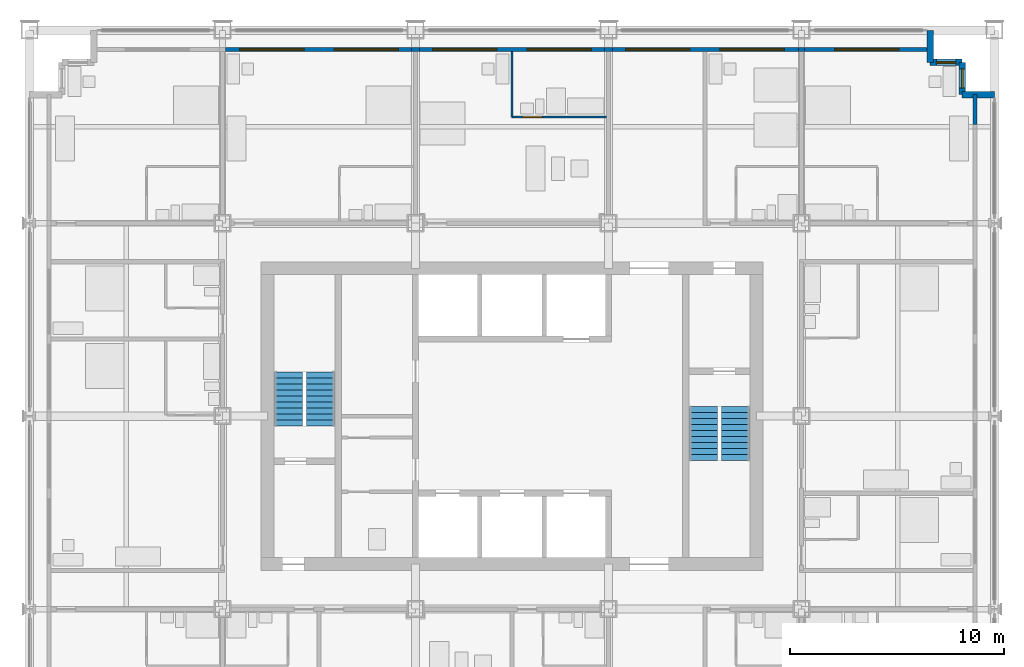
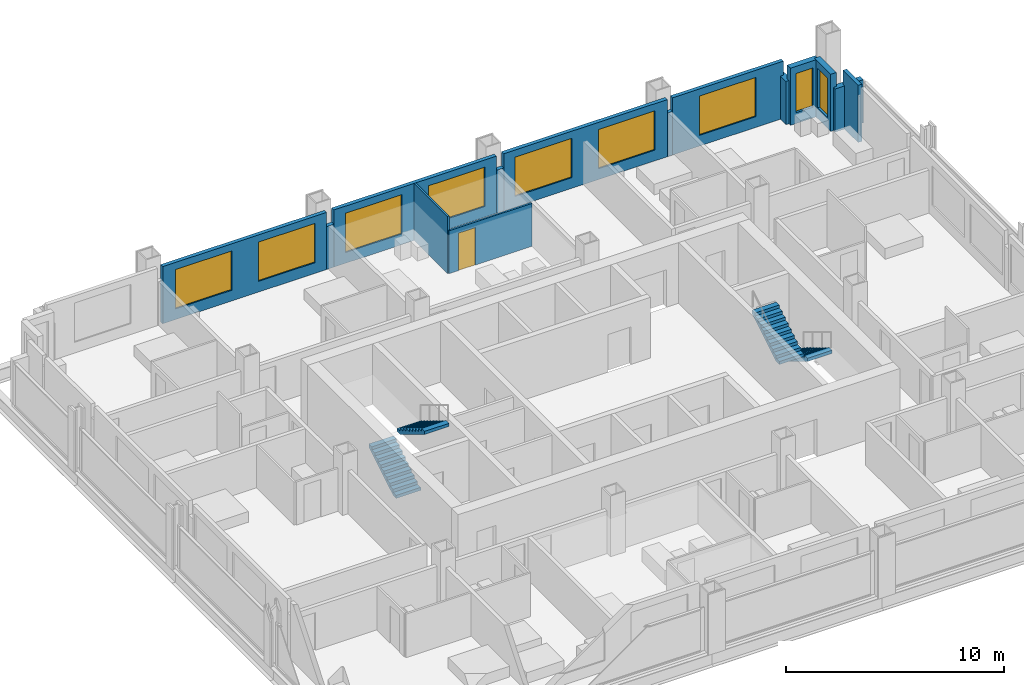
# One storey, part 13 of 16: 14 walls, 9 windows, 4 stair flights, 1 door, 10 openings, 2 elements without a shape of their own.
"""IFC4 building model written with IfcOpenShell, lengths in metres."""

from ifc_helpers import new_model, si_unit, direction, frame, frame_2d, origin, place, context, subcontext, project, spatial, polyline, rectangle, outline, extrude, material, layer, layer_set, type_object, element, fill, aggregate, save


model = new_model("IFC4")

# Units and contexts
model_context = context("Model", 3, precision=1e-05, world=origin(), true_north=direction((0.0, 1.0)))
body_context = subcontext(model_context, "Body", "Model", "MODEL_VIEW")
ifc_project = project(units=[si_unit("LENGTHUNIT", "METRE"), si_unit("AREAUNIT", "SQUARE_METRE"), si_unit("VOLUMEUNIT", "CUBIC_METRE"), si_unit("PLANEANGLEUNIT", "RADIAN"), si_unit("MASSUNIT", "GRAM", prefix="KILO")], contexts=[model_context])

# Site, building, storey
site_placement = place(None, origin())
site = spatial("IfcSite", under=ifc_project, at=site_placement, CompositionType="ELEMENT")
building_placement = place(site_placement, origin())
building = spatial("IfcBuilding", under=site, at=building_placement, Name="Loomwork Tower", CompositionType="ELEMENT")
storey_placement = place(building_placement, frame((0.0, 0.0, 124.800048828125)))
storey = spatial("IfcBuildingStorey", under=building, at=storey_placement, Name="L33", CompositionType="ELEMENT", Elevation=124.800048828125)

# Wall, opening, door
ifc_material_1 = material(Name="Cement board on steel studs", Category="steel")
ifc_layer_1 = layer(ifc_material_1, 0.10009765625)
ifc_layer_set_1 = layer_set([ifc_layer_1], Name="En-suite partition 100")
wall_type_1 = type_object("IfcWallType", Name="En-suite partition 100", PredefinedType="PARTITIONING", material=ifc_layer_set_1)
wall_1_placement = place(storey_placement, frame((22.5, 31.949951171875, 0.0), z_axis=(0.0, 0.0, 1.0), x_axis=(1.0, 0.0, 0.0)))
wall_1 = element("IfcWall", 1, at=wall_1_placement, inside=storey, type_object=wall_type_1, Name="Spa bathroom wall L33 room 9", PredefinedType="PARTITIONING", context=body_context, shape_type="SweptSolid", body=[
    extrude(rectangle(XDim=4.39990234375, YDim=0.10009765625, at=frame_2d((2.199951171875, 0.0))), origin(), (0.0, 0.0, 1.0), 2.404052734375),
])
opening_1_placement = place(wall_1_placement, frame((0.5, 0.0, 0.0)))
opening_1 = element("IfcOpeningElement", 2, at=opening_1_placement, cuts=wall_1, Name="Opening D2", PredefinedType="OPENING", context=body_context, shape_type="SweptSolid", body=[
    extrude(rectangle(XDim=0.89990234375, YDim=2.10009765625, at=frame_2d((0.449951171875, 1.050048828125))), frame((0.0, 0.06005859375, 0.0), z_axis=(0.0, -1.0, 0.0), x_axis=(1.0, 0.0, 0.0)), (0.0, 0.0, 1.0), 0.1201171875),
])
ifc_material_2 = material(Name="Hollow metal door and frame")
door_type = type_object("IfcDoorType", Name="En-suite door 900", OperationType="SINGLE_SWING_LEFT", PredefinedType="DOOR", material=ifc_material_2)
door_placement = place(opening_1_placement, origin())
door = element("IfcDoor", 3, at=door_placement, inside=storey, type_object=door_type, Name="Spa bathroom door room 9", OperationType="SINGLE_SWING_LEFT", OverallHeight=2.10009765625, OverallWidth=0.89990234375, PredefinedType="DOOR", context=body_context, shape_type="SweptSolid", body=[
    extrude(rectangle(XDim=0.89990234375, YDim=2.10009765625, at=frame_2d((0.449951171875, 1.050048828125))), frame((0.0, 0.02490234375, 0.0), z_axis=(0.0, -1.0, 0.0), x_axis=(1.0, 0.0, 0.0)), (0.0, 0.0, 1.0), 0.050048828125),
])
fill(opening_1, door)

# Wall
wall_2_placement = place(storey_placement, frame((22.5, 31.949951171875, 0.0), z_axis=(0.0, 0.0, 1.0), x_axis=(0.0, 1.0, 0.0)))
element("IfcWall", 4, at=wall_2_placement, inside=storey, type_object=wall_type_1, Name="Spa bathroom side wall L33 room 9", PredefinedType="PARTITIONING", context=body_context, shape_type="SweptSolid", body=[
    extrude(rectangle(XDim=3.050048828125, YDim=0.10009765625, at=frame_2d((1.52490234375, 0.0))), origin(), (0.0, 0.0, 1.0), 3.199951171875),
])

# Wall, openings, windows
ifc_material_3 = material(Name="Insulated steel stud wall with gypsum lining", Category="steel")
ifc_layer_2 = layer(ifc_material_3, 0.199951171875)
ifc_layer_set_2 = layer_set([ifc_layer_2], Name="Inner skin wall 200")
wall_type_2 = type_object("IfcWallType", Name="Inner skin wall 200", PredefinedType="SOLIDWALL", material=ifc_layer_set_2)
wall_3_placement = place(storey_placement, frame((9.13525390625, 35.10009765625, 0.0), z_axis=(0.0, 0.0, 1.0), x_axis=(1.0, 0.0, 0.0)))
wall_3 = element("IfcWall", 5, at=wall_3_placement, inside=storey, type_object=wall_type_2, Name="Inner skin wall N bay 3", PredefinedType="SOLIDWALL", context=body_context, shape_type="SweptSolid", body=[
    extrude(rectangle(XDim=8.6708984375, YDim=0.199951171875, at=frame_2d((4.33544921875, 0.0))), origin(), (0.0, 0.0, 1.0), 3.199951171875),
])
opening_2_placement = place(wall_3_placement, frame((0.664794921875, 0.0, 0.60009765625)))
opening_2 = element("IfcOpeningElement", 6, at=opening_2_placement, cuts=wall_3, Name="Opening CH1", PredefinedType="OPENING", context=body_context, shape_type="SweptSolid", body=[
    extrude(rectangle(XDim=3.0, YDim=2.199951171875, at=frame_2d((1.5, 1.10009765625))), frame((0.0, 0.10986328125, 0.0), z_axis=(0.0, -1.0, 0.0), x_axis=(1.0, 0.0, 0.0)), (0.0, 0.0, 1.0), 0.219970703125),
])
opening_3_placement = place(wall_3_placement, frame((5.064697265625, 0.0, 0.60009765625)))
opening_3 = element("IfcOpeningElement", 7, at=opening_3_placement, cuts=wall_3, Name="Opening CH1", PredefinedType="OPENING", context=body_context, shape_type="SweptSolid", body=[
    extrude(rectangle(XDim=3.0, YDim=2.199951171875, at=frame_2d((1.5, 1.10009765625))), frame((0.0, 0.10986328125, 0.0), z_axis=(0.0, -1.0, 0.0), x_axis=(1.0, 0.0, 0.0)), (0.0, 0.0, 1.0), 0.219970703125),
])
ifc_material_4 = material(Name="Aluminium frame with clear insulated glass", Category="aluminium")
window_type_1 = type_object("IfcWindowType", Name="Chicago window 3000", PartitioningType="TRIPLE_PANEL_VERTICAL", PredefinedType="WINDOW", material=ifc_material_4)
window_1_placement = place(opening_2_placement, origin())
window_1 = element("IfcWindow", 8, at=window_1_placement, inside=storey, type_object=window_type_1, Name="Chicago window L33 bay 7", OverallHeight=2.199951171875, OverallWidth=3.0, PartitioningType="TRIPLE_PANEL_VERTICAL", PredefinedType="WINDOW", context=body_context, shape_type="SweptSolid", body=[
    extrude(rectangle(XDim=3.0, YDim=2.199951171875, at=frame_2d((1.5, 1.10009765625))), frame((0.0, 0.030029296875, 0.0), z_axis=(0.0, -1.0, 0.0), x_axis=(1.0, 0.0, 0.0)), (0.0, 0.0, 1.0), 0.06005859375),
])
fill(opening_2, window_1)
window_2_placement = place(opening_3_placement, origin())
window_2 = element("IfcWindow", 9, at=window_2_placement, inside=storey, type_object=window_type_1, Name="Chicago window L33 bay 7", OverallHeight=2.199951171875, OverallWidth=3.0, PartitioningType="TRIPLE_PANEL_VERTICAL", PredefinedType="WINDOW", context=body_context, shape_type="SweptSolid", body=[
    extrude(rectangle(XDim=3.0, YDim=2.199951171875, at=frame_2d((1.5, 1.10009765625))), frame((0.0, 0.030029296875, 0.0), z_axis=(0.0, -1.0, 0.0), x_axis=(1.0, 0.0, 0.0)), (0.0, 0.0, 1.0), 0.06005859375),
])
fill(opening_3, window_2)

# Wall
wall_4_placement = place(storey_placement, frame((17.80615234375, 35.10009765625, 0.0), z_axis=(0.0, 0.0, 1.0), x_axis=(1.0, 0.0, 0.0)))
element("IfcWall", 10, at=wall_4_placement, inside=storey, type_object=wall_type_2, Name="Inner skin wall N bay 4", PredefinedType="SOLIDWALL", context=body_context, shape_type="SweptSolid", body=[
    extrude(rectangle(XDim=0.3876953125, YDim=0.199951171875, at=frame_2d((0.19384765625, 0.0))), origin(), (0.0, 0.0, 1.0), 2.404052734375),
])

# Wall, openings, windows
wall_5_placement = place(storey_placement, frame((18.19384765625, 35.10009765625, 0.0), z_axis=(0.0, 0.0, 1.0), x_axis=(1.0, 0.0, 0.0)))
wall_5 = element("IfcWall", 11, at=wall_5_placement, inside=storey, type_object=wall_type_2, Name="Inner skin wall N bay 5", PredefinedType="SOLIDWALL", context=body_context, shape_type="SweptSolid", body=[
    extrude(rectangle(XDim=8.6123046875, YDim=0.199951171875, at=frame_2d((4.30615234375, 0.0))), origin(), (0.0, 0.0, 1.0), 3.199951171875),
])
opening_4_placement = place(wall_5_placement, frame((0.606201171875, 0.0, 0.60009765625)))
opening_4 = element("IfcOpeningElement", 12, at=opening_4_placement, cuts=wall_5, Name="Opening CH1", PredefinedType="OPENING", context=body_context, shape_type="SweptSolid", body=[
    extrude(rectangle(XDim=3.0, YDim=2.199951171875, at=frame_2d((1.5, 1.10009765625))), frame((0.0, 0.10986328125, 0.0), z_axis=(0.0, -1.0, 0.0), x_axis=(1.0, 0.0, 0.0)), (0.0, 0.0, 1.0), 0.219970703125),
])
opening_5_placement = place(wall_5_placement, frame((5.006103515625, 0.0, 0.60009765625)))
opening_5 = element("IfcOpeningElement", 13, at=opening_5_placement, cuts=wall_5, Name="Opening CH1", PredefinedType="OPENING", context=body_context, shape_type="SweptSolid", body=[
    extrude(rectangle(XDim=3.0, YDim=2.199951171875, at=frame_2d((1.5, 1.10009765625))), frame((0.0, 0.10986328125, 0.0), z_axis=(0.0, -1.0, 0.0), x_axis=(1.0, 0.0, 0.0)), (0.0, 0.0, 1.0), 0.219970703125),
])
window_3_placement = place(opening_4_placement, origin())
window_3 = element("IfcWindow", 14, at=window_3_placement, inside=storey, type_object=window_type_1, Name="Chicago window L33 bay 8", OverallHeight=2.199951171875, OverallWidth=3.0, PartitioningType="TRIPLE_PANEL_VERTICAL", PredefinedType="WINDOW", context=body_context, shape_type="SweptSolid", body=[
    extrude(rectangle(XDim=3.0, YDim=2.199951171875, at=frame_2d((1.5, 1.10009765625))), frame((0.0, 0.030029296875, 0.0), z_axis=(0.0, -1.0, 0.0), x_axis=(1.0, 0.0, 0.0)), (0.0, 0.0, 1.0), 0.06005859375),
])
fill(opening_4, window_3)
window_4_placement = place(opening_5_placement, origin())
window_4 = element("IfcWindow", 15, at=window_4_placement, inside=storey, type_object=window_type_1, Name="Chicago window L33 bay 8", OverallHeight=2.199951171875, OverallWidth=3.0, PartitioningType="TRIPLE_PANEL_VERTICAL", PredefinedType="WINDOW", context=body_context, shape_type="SweptSolid", body=[
    extrude(rectangle(XDim=3.0, YDim=2.199951171875, at=frame_2d((1.5, 1.10009765625))), frame((0.0, 0.030029296875, 0.0), z_axis=(0.0, -1.0, 0.0), x_axis=(1.0, 0.0, 0.0)), (0.0, 0.0, 1.0), 0.06005859375),
])
fill(opening_5, window_4)

# Wall
wall_6_placement = place(storey_placement, frame((26.80615234375, 35.10009765625, 0.0), z_axis=(0.0, 0.0, 1.0), x_axis=(1.0, 0.0, 0.0)))
element("IfcWall", 16, at=wall_6_placement, inside=storey, type_object=wall_type_2, Name="Inner skin wall N bay 6", PredefinedType="SOLIDWALL", context=body_context, shape_type="SweptSolid", body=[
    extrude(rectangle(XDim=0.3876953125, YDim=0.199951171875, at=frame_2d((0.19384765625, 0.0))), origin(), (0.0, 0.0, 1.0), 2.404052734375),
])

# Wall, openings, windows
wall_7_placement = place(storey_placement, frame((27.19384765625, 35.10009765625, 0.0), z_axis=(0.0, 0.0, 1.0), x_axis=(1.0, 0.0, 0.0)))
wall_7 = element("IfcWall", 17, at=wall_7_placement, inside=storey, type_object=wall_type_2, Name="Inner skin wall N bay 7", PredefinedType="SOLIDWALL", context=body_context, shape_type="SweptSolid", body=[
    extrude(rectangle(XDim=8.670654296875, YDim=0.199951171875, at=frame_2d((4.33544921875, 0.0))), origin(), (0.0, 0.0, 1.0), 3.199951171875),
])
opening_6_placement = place(wall_7_placement, frame((0.606201171875, 0.0, 0.60009765625)))
opening_6 = element("IfcOpeningElement", 18, at=opening_6_placement, cuts=wall_7, Name="Opening CH1", PredefinedType="OPENING", context=body_context, shape_type="SweptSolid", body=[
    extrude(rectangle(XDim=3.0, YDim=2.199951171875, at=frame_2d((1.5, 1.10009765625))), frame((0.0, 0.10986328125, 0.0), z_axis=(0.0, -1.0, 0.0), x_axis=(1.0, 0.0, 0.0)), (0.0, 0.0, 1.0), 0.219970703125),
])
opening_7_placement = place(wall_7_placement, frame((5.006103515625, 0.0, 0.60009765625)))
opening_7 = element("IfcOpeningElement", 19, at=opening_7_placement, cuts=wall_7, Name="Opening CH1", PredefinedType="OPENING", context=body_context, shape_type="SweptSolid", body=[
    extrude(rectangle(XDim=3.0, YDim=2.199951171875, at=frame_2d((1.5, 1.10009765625))), frame((0.0, 0.10986328125, 0.0), z_axis=(0.0, -1.0, 0.0), x_axis=(1.0, 0.0, 0.0)), (0.0, 0.0, 1.0), 0.219970703125),
])
window_5_placement = place(opening_6_placement, origin())
window_5 = element("IfcWindow", 20, at=window_5_placement, inside=storey, type_object=window_type_1, Name="Chicago window L33 bay 9", OverallHeight=2.199951171875, OverallWidth=3.0, PartitioningType="TRIPLE_PANEL_VERTICAL", PredefinedType="WINDOW", context=body_context, shape_type="SweptSolid", body=[
    extrude(rectangle(XDim=3.0, YDim=2.199951171875, at=frame_2d((1.5, 1.10009765625))), frame((0.0, 0.030029296875, 0.0), z_axis=(0.0, -1.0, 0.0), x_axis=(1.0, 0.0, 0.0)), (0.0, 0.0, 1.0), 0.06005859375),
])
fill(opening_6, window_5)
window_6_placement = place(opening_7_placement, origin())
window_6 = element("IfcWindow", 21, at=window_6_placement, inside=storey, type_object=window_type_1, Name="Chicago window L33 bay 9", OverallHeight=2.199951171875, OverallWidth=3.0, PartitioningType="TRIPLE_PANEL_VERTICAL", PredefinedType="WINDOW", context=body_context, shape_type="SweptSolid", body=[
    extrude(rectangle(XDim=3.0, YDim=2.199951171875, at=frame_2d((1.5, 1.10009765625))), frame((0.0, 0.030029296875, 0.0), z_axis=(0.0, -1.0, 0.0), x_axis=(1.0, 0.0, 0.0)), (0.0, 0.0, 1.0), 0.06005859375),
])
fill(opening_7, window_6)

# Wall
wall_8_placement = place(storey_placement, frame((35.864501953125, 35.10009765625, 0.0), z_axis=(0.0, 0.0, 1.0), x_axis=(1.0, 0.0, 0.0)))
element("IfcWall", 22, at=wall_8_placement, inside=storey, type_object=wall_type_2, Name="Inner skin wall N bay 8", PredefinedType="SOLIDWALL", context=body_context, shape_type="SweptSolid", body=[
    extrude(rectangle(XDim=0.27099609375, YDim=0.199951171875, at=frame_2d((0.135498046875, 0.0))), origin(), (0.0, 0.0, 1.0), 2.43798828125),
])

# Wall, opening, window
wall_9_placement = place(storey_placement, frame((36.135498046875, 35.10009765625, 0.0), z_axis=(0.0, 0.0, 1.0), x_axis=(1.0, 0.0, 0.0)))
wall_9 = element("IfcWall", 23, at=wall_9_placement, inside=storey, type_object=wall_type_2, Name="Inner skin wall N bay 9", PredefinedType="SOLIDWALL", context=body_context, shape_type="SweptSolid", body=[
    extrude(rectangle(XDim=5.864501953125, YDim=0.199951171875, at=frame_2d((2.93212890625, 0.0))), origin(), (0.0, 0.0, 1.0), 3.199951171875),
])
opening_8_placement = place(wall_9_placement, frame((1.41455078125, 0.0, 0.60009765625)))
opening_8 = element("IfcOpeningElement", 24, at=opening_8_placement, cuts=wall_9, Name="Opening CH1", PredefinedType="OPENING", context=body_context, shape_type="SweptSolid", body=[
    extrude(rectangle(XDim=3.0, YDim=2.199951171875, at=frame_2d((1.5, 1.10009765625))), frame((0.0, 0.10986328125, 0.0), z_axis=(0.0, -1.0, 0.0), x_axis=(1.0, 0.0, 0.0)), (0.0, 0.0, 1.0), 0.219970703125),
])
window_7_placement = place(opening_8_placement, origin())
window_7 = element("IfcWindow", 25, at=window_7_placement, inside=storey, type_object=window_type_1, Name="Chicago window L33 bay 10", OverallHeight=2.199951171875, OverallWidth=3.0, PartitioningType="TRIPLE_PANEL_VERTICAL", PredefinedType="WINDOW", context=body_context, shape_type="SweptSolid", body=[
    extrude(rectangle(XDim=3.0, YDim=2.199951171875, at=frame_2d((1.5, 1.10009765625))), frame((0.0, 0.030029296875, 0.0), z_axis=(0.0, -1.0, 0.0), x_axis=(1.0, 0.0, 0.0)), (0.0, 0.0, 1.0), 0.06005859375),
])
fill(opening_8, window_7)

# Walls
wall_10_placement = place(storey_placement, frame((44.10009765625, 31.607421875, 0.0), z_axis=(0.0, 0.0, 1.0), x_axis=(0.0, 1.0, 0.0)))
element("IfcWall", 26, at=wall_10_placement, inside=storey, type_object=wall_type_2, Name="Inner skin wall E bay 11", PredefinedType="SOLIDWALL", context=body_context, shape_type="SweptSolid", body=[
    extrude(rectangle(XDim=1.392578125, YDim=0.199951171875, at=frame_2d((0.6962890625, 0.0))), origin(), (0.0, 0.0, 1.0), 3.199951171875),
])
ifc_material_5 = material(Name="Limestone on concrete masonry", Category="masonry")
ifc_layer_3 = layer(ifc_material_5, 0.300048828125)
ifc_layer_set_3 = layer_set([ifc_layer_3], Name="Limestone corner wall 300")
wall_type_3 = type_object("IfcWallType", Name="Limestone corner wall 300", PredefinedType="SOLIDWALL", material=ifc_layer_set_3)
wall_11_placement = place(storey_placement, frame((45.0, 33.0, 0.0), z_axis=(0.0, 0.0, 1.0), x_axis=(-1.0, 0.0, 0.0)))
element("IfcWall", 27, at=wall_11_placement, inside=storey, type_object=wall_type_3, Name="Stone corner wall NE 1", PredefinedType="SOLIDWALL", context=body_context, shape_type="SweptSolid", body=[
    extrude(rectangle(XDim=1.5, YDim=0.300048828125, at=frame_2d((0.75, 0.0))), origin(), (0.0, 0.0, 1.0), 2.419921875),
])

# Wall, opening, window
wall_12_placement = place(storey_placement, frame((43.5, 33.0, 0.0), z_axis=(0.0, 0.0, 1.0), x_axis=(0.0, 1.0, 0.0)))
wall_12 = element("IfcWall", 28, at=wall_12_placement, inside=storey, type_object=wall_type_3, Name="Stone corner wall NE 2", PredefinedType="SOLIDWALL", context=body_context, shape_type="SweptSolid", body=[
    extrude(rectangle(XDim=1.5, YDim=0.300048828125, at=frame_2d((0.75, 0.0))), origin(), (0.0, 0.0, 1.0), 3.199951171875),
])
opening_9_placement = place(wall_12_placement, frame((0.300048828125, 0.0, 0.60009765625)))
opening_9 = element("IfcOpeningElement", 29, at=opening_9_placement, cuts=wall_12, Name="Opening CH2", PredefinedType="OPENING", context=body_context, shape_type="SweptSolid", body=[
    extrude(rectangle(XDim=0.89990234375, YDim=2.199951171875, at=frame_2d((0.449951171875, 1.10009765625))), frame((0.0, 0.159912109375, 0.0), z_axis=(0.0, -1.0, 0.0), x_axis=(1.0, 0.0, 0.0)), (0.0, 0.0, 1.0), 0.320068359375),
])
ifc_material_6 = material(Name="Aluminium frame with clear insulated glass", Category="aluminium")
window_type_2 = type_object("IfcWindowType", Name="Corner window 900", PartitioningType="SINGLE_PANEL", PredefinedType="WINDOW", material=ifc_material_6)
window_8_placement = place(opening_9_placement, origin())
window_8 = element("IfcWindow", 30, at=window_8_placement, inside=storey, type_object=window_type_2, Name="Corner window NE", OverallHeight=2.199951171875, OverallWidth=0.89990234375, PartitioningType="SINGLE_PANEL", PredefinedType="WINDOW", context=body_context, shape_type="SweptSolid", body=[
    extrude(rectangle(XDim=0.89990234375, YDim=2.199951171875, at=frame_2d((0.449951171875, 1.10009765625))), frame((0.0, 0.030029296875, 0.0), z_axis=(0.0, -1.0, 0.0), x_axis=(1.0, 0.0, 0.0)), (0.0, 0.0, 1.0), 0.06005859375),
])
fill(opening_9, window_8)

wall_13_placement = place(storey_placement, frame((43.5, 34.5, 0.0), z_axis=(0.0, 0.0, 1.0), x_axis=(-1.0, 0.0, 0.0)))
wall_13 = element("IfcWall", 31, at=wall_13_placement, inside=storey, type_object=wall_type_3, Name="Stone corner wall NE 3", PredefinedType="SOLIDWALL", context=body_context, shape_type="SweptSolid", body=[
    extrude(rectangle(XDim=1.5, YDim=0.300048828125, at=frame_2d((0.75, 0.0))), origin(), (0.0, 0.0, 1.0), 3.199951171875),
])
opening_10_placement = place(wall_13_placement, frame((0.300048828125, 0.0, 0.60009765625)))
opening_10 = element("IfcOpeningElement", 32, at=opening_10_placement, cuts=wall_13, Name="Opening CH2", PredefinedType="OPENING", context=body_context, shape_type="SweptSolid", body=[
    extrude(rectangle(XDim=0.89990234375, YDim=2.199951171875, at=frame_2d((0.449951171875, 1.10009765625))), frame((0.0, 0.159912109375, 0.0), z_axis=(0.0, -1.0, 0.0), x_axis=(1.0, 0.0, 0.0)), (0.0, 0.0, 1.0), 0.320068359375),
])
window_9_placement = place(opening_10_placement, origin())
window_9 = element("IfcWindow", 33, at=window_9_placement, inside=storey, type_object=window_type_2, Name="Corner window NE", OverallHeight=2.199951171875, OverallWidth=0.89990234375, PartitioningType="SINGLE_PANEL", PredefinedType="WINDOW", context=body_context, shape_type="SweptSolid", body=[
    extrude(rectangle(XDim=0.89990234375, YDim=2.199951171875, at=frame_2d((0.449951171875, 1.10009765625))), frame((0.0, 0.030029296875, 0.0), z_axis=(0.0, -1.0, 0.0), x_axis=(1.0, 0.0, 0.0)), (0.0, 0.0, 1.0), 0.06005859375),
])
fill(opening_10, window_9)

# Wall
wall_14_placement = place(storey_placement, frame((42.0, 34.5, 0.0), z_axis=(0.0, 0.0, 1.0), x_axis=(0.0, 1.0, 0.0)))
element("IfcWall", 34, at=wall_14_placement, inside=storey, type_object=wall_type_3, Name="Stone corner wall NE 4", PredefinedType="SOLIDWALL", context=body_context, shape_type="SweptSolid", body=[
    extrude(rectangle(XDim=1.5, YDim=0.300048828125, at=frame_2d((0.75, 0.0))), origin(), (0.0, 0.0, 1.0), 2.419921875),
])

# Stair, stair flights
ifc_material_7 = material(Name="Concrete 5000 psi (34 MPa) precast stair", Category="concrete")
stair_type_1 = type_object("IfcStairType", Name="Stair ST-A 20 risers 2850 wide", PredefinedType="HALF_TURN_STAIR", material=ifc_material_7)
stair_1_placement = place(storey_placement, origin())
stair_1 = element("IfcStair", 35, at=stair_1_placement, inside=storey, type_object=stair_type_1, Name="Stair A L33", PredefinedType="HALF_TURN_STAIR")
ifc_material_8 = material(Name="Concrete 5000 psi (34 MPa) precast stair", Category="concrete")
stair_flight_type_1 = type_object("IfcStairFlightType", Name="Stair flight ST-A 10 risers 1300 wide", PredefinedType="STRAIGHT", material=ifc_material_8)
stair_flight_1_placement = place(storey_placement, frame((12.074951171875, 17.550048828125, 0.0), z_axis=(0.0, 0.0, 1.0), x_axis=(0.0, 1.0, 0.0)))
stair_flight_1 = element("IfcStairFlight", 36, at=stair_flight_1_placement, type_object=stair_flight_type_1, Name="ST-A flight 1", NumberOfRisers=10, NumberOfTreads=9, PredefinedType="STRAIGHT", RiserHeight=0.17, TreadLength=0.28, context=body_context, shape_type="SweptSolid", body=[
    extrude(outline(polyline([(0.0, 0.0), (0.0, 0.169921875), (0.280029296875, 0.169921875), (0.280029296875, 0.340087890625), (0.56005859375, 0.340087890625), (0.56005859375, 0.510009765625), (0.840087890625, 0.510009765625), (0.840087890625, 0.679931640625), (1.1201171875, 0.679931640625), (1.1201171875, 0.85009765625), (1.39990234375, 0.85009765625), (1.39990234375, 1.02001953125), (1.679931640625, 1.02001953125), (1.679931640625, 1.18994140625), (1.9599609375, 1.18994140625), (1.9599609375, 1.360107421875), (2.239990234375, 1.360107421875), (2.239990234375, 1.530029296875), (2.52001953125, 1.530029296875), (2.52001953125, 1.699951171875), (2.52001953125, 1.354736328125), (0.288818359375, 0.0), (0.0, 0.0)])), frame((0.0, 0.64990234375, 0.0), z_axis=(0.0, -1.0, 0.0), x_axis=(1.0, 0.0, 0.0)), (0.0, 0.0, 1.0), 1.300048828125),
])
stair_flight_2_placement = place(storey_placement, frame((13.574951171875, 20.070068359375, 1.699951171875), z_axis=(0.0, 0.0, 1.0), x_axis=(0.0, -1.0, 0.0)))
stair_flight_2 = element("IfcStairFlight", 37, at=stair_flight_2_placement, type_object=stair_flight_type_1, Name="ST-A flight 2", NumberOfRisers=10, NumberOfTreads=9, PredefinedType="STRAIGHT", RiserHeight=0.17, TreadLength=0.28, context=body_context, shape_type="SweptSolid", body=[
    extrude(outline(polyline([(0.0, 0.0), (0.0, 0.169921875), (0.280029296875, 0.169921875), (0.280029296875, 0.340087890625), (0.56005859375, 0.340087890625), (0.56005859375, 0.510009765625), (0.840087890625, 0.510009765625), (0.840087890625, 0.679931640625), (1.1201171875, 0.679931640625), (1.1201171875, 0.85009765625), (1.39990234375, 0.85009765625), (1.39990234375, 1.02001953125), (1.679931640625, 1.02001953125), (1.679931640625, 1.18994140625), (1.9599609375, 1.18994140625), (1.9599609375, 1.360107421875), (2.239990234375, 1.360107421875), (2.239990234375, 1.530029296875), (2.52001953125, 1.530029296875), (2.52001953125, 1.699951171875), (2.52001953125, 1.354736328125), (0.288818359375, 0.0), (0.0, 0.0)])), frame((0.0, 0.64990234375, 0.0), z_axis=(0.0, -1.0, 0.0), x_axis=(1.0, 0.0, 0.0)), (0.0, 0.0, 1.0), 1.300048828125),
])
aggregate(stair_1, [stair_flight_1, stair_flight_2])

ifc_material_9 = material(Name="Concrete 5000 psi (34 MPa) precast stair", Category="concrete")
stair_type_2 = type_object("IfcStairType", Name="Stair ST-B 20 risers 2850 wide", PredefinedType="HALF_TURN_STAIR", material=ifc_material_9)
stair_2_placement = place(storey_placement, origin())
stair_2 = element("IfcStair", 38, at=stair_2_placement, inside=storey, type_object=stair_type_2, Name="Stair B L33", PredefinedType="HALF_TURN_STAIR")
ifc_material_10 = material(Name="Concrete 5000 psi (34 MPa) precast stair", Category="concrete")
stair_flight_type_2 = type_object("IfcStairFlightType", Name="Stair flight ST-B 10 risers 1300 wide", PredefinedType="STRAIGHT", material=ifc_material_10)
stair_flight_3_placement = place(storey_placement, frame((32.925048828125, 18.449951171875, 0.0), z_axis=(0.0, 0.0, 1.0), x_axis=(0.0, -1.0, 0.0)))
stair_flight_3 = element("IfcStairFlight", 39, at=stair_flight_3_placement, type_object=stair_flight_type_2, Name="ST-B flight 1", NumberOfRisers=10, NumberOfTreads=9, PredefinedType="STRAIGHT", RiserHeight=0.17, TreadLength=0.28, context=body_context, shape_type="SweptSolid", body=[
    extrude(outline(polyline([(0.0, 0.0), (0.0, 0.169921875), (0.280029296875, 0.169921875), (0.280029296875, 0.340087890625), (0.56005859375, 0.340087890625), (0.56005859375, 0.510009765625), (0.840087890625, 0.510009765625), (0.840087890625, 0.679931640625), (1.1201171875, 0.679931640625), (1.1201171875, 0.85009765625), (1.39990234375, 0.85009765625), (1.39990234375, 1.02001953125), (1.679931640625, 1.02001953125), (1.679931640625, 1.18994140625), (1.9599609375, 1.18994140625), (1.9599609375, 1.360107421875), (2.239990234375, 1.360107421875), (2.239990234375, 1.530029296875), (2.52001953125, 1.530029296875), (2.52001953125, 1.699951171875), (2.52001953125, 1.354736328125), (0.288818359375, 0.0), (0.0, 0.0)])), frame((0.0, 0.64990234375, 0.0), z_axis=(0.0, -1.0, 0.0), x_axis=(1.0, 0.0, 0.0)), (0.0, 0.0, 1.0), 1.300048828125),
])
stair_flight_4_placement = place(storey_placement, frame((31.425048828125, 15.929931640625, 1.699951171875), z_axis=(0.0, 0.0, 1.0), x_axis=(0.0, 1.0, 0.0)))
stair_flight_4 = element("IfcStairFlight", 40, at=stair_flight_4_placement, type_object=stair_flight_type_2, Name="ST-B flight 2", NumberOfRisers=10, NumberOfTreads=9, PredefinedType="STRAIGHT", RiserHeight=0.17, TreadLength=0.28, context=body_context, shape_type="SweptSolid", body=[
    extrude(outline(polyline([(0.0, 0.0), (0.0, 0.169921875), (0.280029296875, 0.169921875), (0.280029296875, 0.340087890625), (0.56005859375, 0.340087890625), (0.56005859375, 0.510009765625), (0.840087890625, 0.510009765625), (0.840087890625, 0.679931640625), (1.1201171875, 0.679931640625), (1.1201171875, 0.85009765625), (1.39990234375, 0.85009765625), (1.39990234375, 1.02001953125), (1.679931640625, 1.02001953125), (1.679931640625, 1.18994140625), (1.9599609375, 1.18994140625), (1.9599609375, 1.360107421875), (2.239990234375, 1.360107421875), (2.239990234375, 1.530029296875), (2.52001953125, 1.530029296875), (2.52001953125, 1.699951171875), (2.52001953125, 1.354736328125), (0.288818359375, 0.0), (0.0, 0.0)])), frame((0.0, 0.64990234375, 0.0), z_axis=(0.0, -1.0, 0.0), x_axis=(1.0, 0.0, 0.0)), (0.0, 0.0, 1.0), 1.300048828125),
])
aggregate(stair_2, [stair_flight_3, stair_flight_4])

save(model, "model.ifc")
